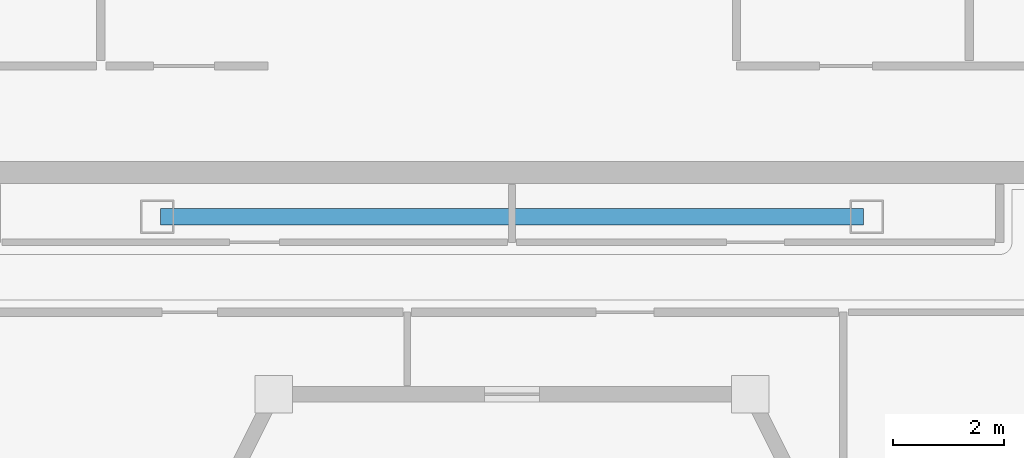
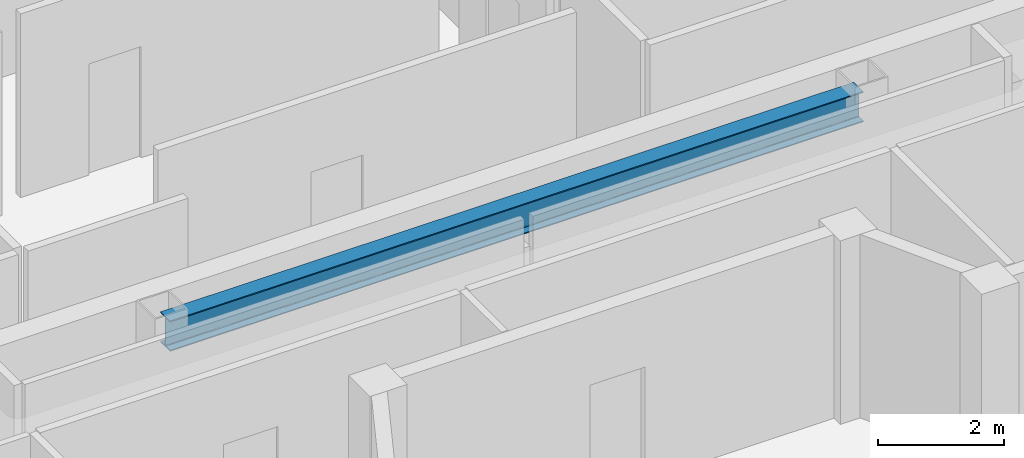
# One storey, part 3 of 17: 1 beam.
"""IFC4 building model written with IfcOpenShell, lengths in metres."""

from ifc_helpers import new_model, si_unit, direction, frame, origin, origin_2d, place, context, subcontext, project, spatial, i_section, extrude, material, material_profile, profile_set, type_object, element, save


model = new_model("IFC4")

# Units and contexts
model_context = context("Model", 3, precision=1e-05, world=origin(), true_north=direction((0.0, 1.0)))
body_context = subcontext(model_context, "Body", "Model", "MODEL_VIEW")
ifc_project = project(units=[si_unit("LENGTHUNIT", "METRE"), si_unit("AREAUNIT", "SQUARE_METRE"), si_unit("VOLUMEUNIT", "CUBIC_METRE"), si_unit("PLANEANGLEUNIT", "RADIAN"), si_unit("MASSUNIT", "GRAM", prefix="KILO")], contexts=[model_context])

# Site, building, storey
site_placement = place(None, origin())
site = spatial("IfcSite", under=ifc_project, at=site_placement, CompositionType="ELEMENT")
building_placement = place(site_placement, origin())
building = spatial("IfcBuilding", under=site, at=building_placement, Name="Saevonmaru Cultural Tower", CompositionType="ELEMENT")
storey_placement = place(building_placement, frame((0.0, 0.0, 310.39990234375)))
storey = spatial("IfcBuildingStorey", under=building, at=storey_placement, Name="L74", CompositionType="ELEMENT", Elevation=310.39990234375)

# Beam
ifc_material = material(Name="Steel SM355", Category="steel")
ifc_material_profile = material_profile(ifc_material, i_section(OverallWidth=0.300048828125, OverallDepth=0.587890625, WebThickness=0.011962890625, FlangeThickness=0.02001953125, FilletRadius=0.02392578125, at=origin_2d()), Name="H-588x300x12x20")
ifc_profile_set = profile_set([ifc_material_profile], Name="Steel SM355")
beam_type = type_object("IfcBeamType", Name="BM-G-H588", PredefinedType="BEAM", material=ifc_profile_set)
beam_placement = place(storey_placement, frame((23.659912109375, 42.39990234375, 3.256103515625), z_axis=(1.0, 0.0, 0.0), x_axis=(0.0, 1.0, 0.0)))
element("IfcBeam", 1, at=beam_placement, inside=storey, type_object=beam_type, Name="L74 Core South Girder 3", PredefinedType="BEAM", context=body_context, shape_type="SweptSolid", body=[
    extrude(i_section(OverallWidth=0.300048828125, OverallDepth=0.587890625, WebThickness=0.011962890625, FlangeThickness=0.02001953125, FilletRadius=0.02392578125, at=origin_2d()), origin(), (0.0, 0.0, 1.0), 12.68017578125),
])

save(model, "model.ifc")
